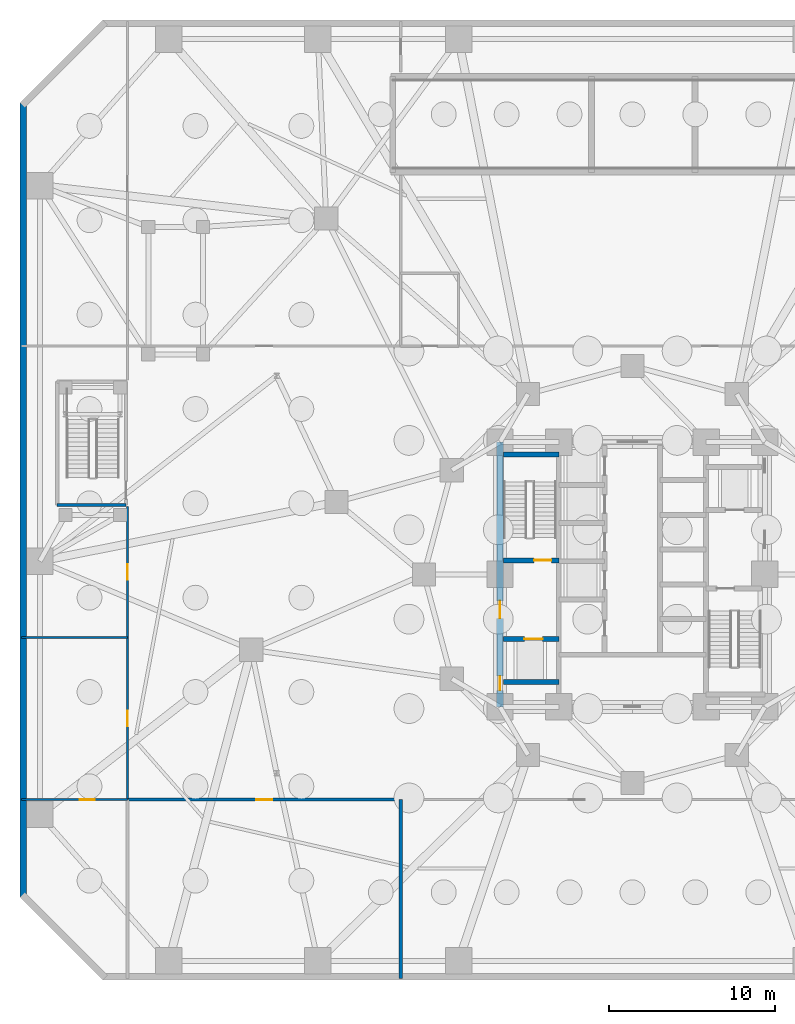
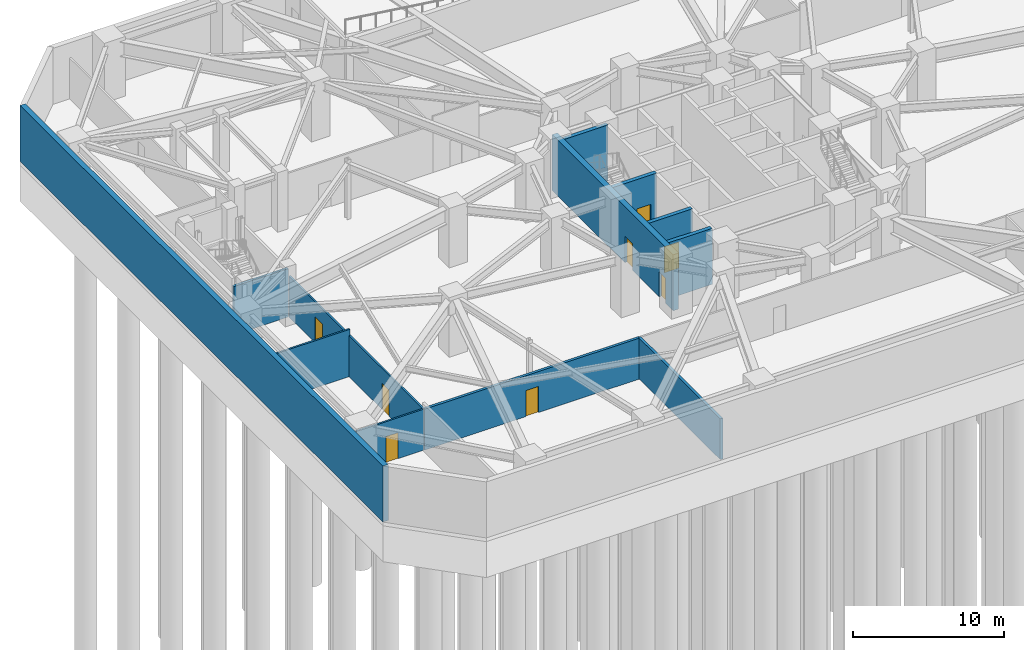
# One storey, part 12 of 20: 13 walls, 8 doors, 8 openings.
"""IFC4 building model written with IfcOpenShell, lengths in metres."""

from ifc_helpers import new_model, si_unit, direction, frame, frame_2d, origin, place, context, subcontext, project, spatial, rectangle, extrude, material, layer, layer_set, type_object, element, fill, save


model = new_model("IFC4")

# Units and contexts
model_context = context("Model", 3, precision=1e-05, world=origin(), true_north=direction((0.0, 1.0)))
body_context = subcontext(model_context, "Body", "Model", "MODEL_VIEW")
ifc_project = project(units=[si_unit("LENGTHUNIT", "METRE"), si_unit("AREAUNIT", "SQUARE_METRE"), si_unit("VOLUMEUNIT", "CUBIC_METRE"), si_unit("PLANEANGLEUNIT", "RADIAN"), si_unit("MASSUNIT", "GRAM", prefix="KILO")], contexts=[model_context])

# Site, building, storey
site_placement = place(None, origin())
site = spatial("IfcSite", under=ifc_project, at=site_placement, CompositionType="ELEMENT")
building_placement = place(site_placement, origin())
building = spatial("IfcBuilding", under=site, at=building_placement, Name="Terralouvre Media Tower", CompositionType="ELEMENT")
storey_placement = place(building_placement, frame((0.0, 0.0, -9.60009765625)))
storey = spatial("IfcBuildingStorey", under=building, at=storey_placement, Name="B02", CompositionType="ELEMENT", Elevation=-9.60009765625)

# Wall
ifc_material_1 = material(Name="Concrete C50/60", Category="concrete")
ifc_layer_1 = layer(ifc_material_1, 0.39990234375, Name="Basement Perimeter Retaining Wall EW-RC400")
ifc_layer_set_1 = layer_set([ifc_layer_1], Name="Concrete C50/60")
wall_type_1 = type_object("IfcWallType", Name="Basement Perimeter Retaining Wall EW-RC400", PredefinedType="USERDEFINED", material=ifc_layer_set_1)
wall_1_placement = place(storey_placement, frame((-36.800048828125, 28.5, 0.0), z_axis=(0.0, 0.0, 1.0), x_axis=(0.0, -1.0, 0.0)))
element("IfcWall", 1, at=wall_1_placement, inside=storey, type_object=wall_type_1, Name="B02 Perimeter Retaining Wall 07", ObjectType="RETAINING", PredefinedType="USERDEFINED", context=body_context, shape_type="SweptSolid", body=[
    extrude(rectangle(XDim=48.0, YDim=0.39990234375, at=frame_2d((24.0, 0.0))), origin(), (0.0, 0.0, 1.0), 4.52001953125),
])

# Wall, opening, door
ifc_material_2 = material(Name="Concrete C50/60", Category="concrete")
ifc_layer_2 = layer(ifc_material_2, 0.300048828125, Name="Core Internal Shaft Wall CW-300")
ifc_layer_set_2 = layer_set([ifc_layer_2], Name="Concrete C50/60")
wall_type_2 = type_object("IfcWallType", Name="Core Internal Shaft Wall CW-300", PredefinedType="SHEAR", material=ifc_layer_set_2)
wall_2_placement = place(storey_placement, frame((-7.7900390625, 0.85009765625, 0.0), z_axis=(0.0, 0.0, 1.0), x_axis=(1.0, 0.0, 0.0)))
wall_2 = element("IfcWall", 2, at=wall_2_placement, inside=storey, type_object=wall_type_2, Name="B02 Core Shaft Wall ST1D", PredefinedType="SHEAR", context=body_context, shape_type="SweptSolid", body=[
    extrude(rectangle(XDim=3.340087890625, YDim=0.300048828125, at=frame_2d((1.669921875, 0.0))), origin(), (0.0, 0.0, 1.0), 4.52001953125),
])
opening_1_placement = place(wall_2_placement, frame((1.85009765625, 0.0, 0.0)))
opening_1 = element("IfcOpeningElement", 3, at=opening_1_placement, cuts=wall_2, Name="Opening FD-01-105X215", PredefinedType="OPENING", context=body_context, shape_type="SweptSolid", body=[
    extrude(rectangle(XDim=1.050048828125, YDim=2.14990234375, at=frame_2d((0.52490234375, 1.074951171875))), frame((0.0, 0.159912109375, 0.0), z_axis=(0.0, -1.0, 0.0), x_axis=(1.0, 0.0, 0.0)), (0.0, 0.0, 1.0), 0.320068359375),
])
ifc_material_3 = material(Name="Galvanised steel fire-resisting leaf", Category="steel")
door_type_1 = type_object("IfcDoorType", Name="Stair and Firefighting Lobby Fire Door FD-01 (1050x2150)", OperationType="NOTDEFINED", PredefinedType="DOOR", material=ifc_material_3)
door_1_placement = place(opening_1_placement, origin())
door_1 = element("IfcDoor", 4, at=door_1_placement, inside=storey, type_object=door_type_1, Name="B02 ST-01 Exit Stair Door", OperationType="SINGLE_SWING_LEFT", OverallHeight=2.14990234375, OverallWidth=1.050048828125, PredefinedType="DOOR", context=body_context, shape_type="SweptSolid", body=[
    extrude(rectangle(XDim=1.050048828125, YDim=2.14990234375, at=frame_2d((0.52490234375, 1.074951171875))), frame((0.0, 0.02490234375, 0.0), z_axis=(0.0, -1.0, 0.0), x_axis=(1.0, 0.0, 0.0)), (0.0, 0.0, 1.0), 0.050048828125),
])
fill(opening_1, door_1)

# Wall
wall_3_placement = place(storey_placement, frame((-7.7900390625, 7.260009765625, 0.0), z_axis=(0.0, 0.0, 1.0), x_axis=(1.0, 0.0, 0.0)))
element("IfcWall", 5, at=wall_3_placement, inside=storey, type_object=wall_type_2, Name="B02 Core Shaft Wall ST1F", PredefinedType="SHEAR", context=body_context, shape_type="SweptSolid", body=[
    extrude(rectangle(XDim=3.340087890625, YDim=0.300048828125, at=frame_2d((1.669921875, 0.0))), origin(), (0.0, 0.0, 1.0), 4.52001953125),
])

# Wall, opening, door
wall_4_placement = place(storey_placement, frame((-7.7900390625, -3.89990234375, 0.0), z_axis=(0.0, 0.0, 1.0), x_axis=(1.0, 0.0, 0.0)))
wall_4 = element("IfcWall", 6, at=wall_4_placement, inside=storey, type_object=wall_type_2, Name="B02 Core Shaft Wall FF1N", PredefinedType="SHEAR", context=body_context, shape_type="SweptSolid", body=[
    extrude(rectangle(XDim=3.340087890625, YDim=0.300048828125, at=frame_2d((1.669921875, 0.0))), origin(), (0.0, 0.0, 1.0), 4.52001953125),
])
opening_2_placement = place(wall_4_placement, frame((1.27001953125, 0.0, 0.0)))
opening_2 = element("IfcOpeningElement", 7, at=opening_2_placement, cuts=wall_4, Name="Opening LD-FF", PredefinedType="OPENING", context=body_context, shape_type="SweptSolid", body=[
    extrude(rectangle(XDim=1.10009765625, YDim=2.10009765625, at=frame_2d((0.550048828125, 1.050048828125))), frame((0.0, 0.159912109375, 0.0), z_axis=(0.0, -1.0, 0.0), x_axis=(1.0, 0.0, 0.0)), (0.0, 0.0, 1.0), 0.320068359375),
])
ifc_material_4 = material(Name="Stainless steel 316 handrail and balustrade", Category="steel")
door_type_2 = type_object("IfcDoorType", Name="Firefighting Lift Sliding Landing Door LD-FF", OperationType="SLIDING_TO_LEFT", PredefinedType="DOOR", material=ifc_material_4)
door_2_placement = place(opening_2_placement, origin())
door_2 = element("IfcDoor", 8, at=door_2_placement, inside=storey, type_object=door_type_2, Name="B02 Firefighting Lift FFL-01 Landing Door", OperationType="SLIDING_TO_LEFT", OverallHeight=2.10009765625, OverallWidth=1.10009765625, PredefinedType="DOOR", context=body_context, shape_type="SweptSolid", body=[
    extrude(rectangle(XDim=1.10009765625, YDim=2.10009765625, at=frame_2d((0.550048828125, 1.050048828125))), frame((0.0, 0.02490234375, 0.0), z_axis=(0.0, -1.0, 0.0), x_axis=(1.0, 0.0, 0.0)), (0.0, 0.0, 1.0), 0.050048828125),
])
fill(opening_2, door_2)

# Wall
wall_5_placement = place(storey_placement, frame((-7.7900390625, -6.5, 0.0), z_axis=(0.0, 0.0, 1.0), x_axis=(1.0, 0.0, 0.0)))
element("IfcWall", 9, at=wall_5_placement, inside=storey, type_object=wall_type_2, Name="B02 Core Shaft Wall FF1S", PredefinedType="SHEAR", context=body_context, shape_type="SweptSolid", body=[
    extrude(rectangle(XDim=3.340087890625, YDim=0.300048828125, at=frame_2d((1.669921875, 0.0))), origin(), (0.0, 0.0, 1.0), 4.52001953125),
])

# Wall, openings, doors
ifc_material_5 = material(Name="Concrete C60/75", Category="concrete")
ifc_layer_3 = layer(ifc_material_5, 0.419921875, Name="Core Reinforced Concrete Shear Wall CW-420")
ifc_layer_set_3 = layer_set([ifc_layer_3], Name="Concrete C60/75")
wall_type_3 = type_object("IfcWallType", Name="Core Reinforced Concrete Shear Wall CW-420", PredefinedType="SHEAR", material=ifc_layer_set_3)
wall_6_placement = place(storey_placement, frame((-8.0, -8.0, 0.0), z_axis=(0.0, 0.0, 1.0), x_axis=(0.0, 1.0, 0.0)))
wall_6 = element("IfcWall", 10, at=wall_6_placement, inside=storey, type_object=wall_type_3, Name="B02 W Core Shear Wall", PredefinedType="SHEAR", context=body_context, shape_type="SweptSolid", body=[
    extrude(rectangle(XDim=16.0, YDim=0.419921875, at=frame_2d((8.0, 0.0))), origin(), (0.0, 0.0, 1.0), 4.52001953125),
])
opening_3_placement = place(wall_6_placement, frame((1.001708984375, 0.0, 0.0)))
opening_3 = element("IfcOpeningElement", 11, at=opening_3_placement, cuts=wall_6, Name="Opening TD-R1", PredefinedType="OPENING", context=body_context, shape_type="SweptSolid", body=[
    extrude(rectangle(XDim=0.85009765625, YDim=2.02001953125, at=frame_2d((0.425048828125, 1.010009765625))), frame((0.0, 0.219970703125, 0.0), z_axis=(0.0, -1.0, 0.0), x_axis=(1.0, 0.0, 0.0)), (0.0, 0.0, 1.0), 0.43994140625),
])
opening_4_placement = place(wall_6_placement, frame((5.35009765625, 0.0, 0.0)))
opening_4 = element("IfcOpeningElement", 12, at=opening_4_placement, cuts=wall_6, Name="Opening FD-01-105X215", PredefinedType="OPENING", context=body_context, shape_type="SweptSolid", body=[
    extrude(rectangle(XDim=1.050048828125, YDim=2.14990234375, at=frame_2d((0.52490234375, 1.074951171875))), frame((0.0, 0.219970703125, 0.0), z_axis=(0.0, -1.0, 0.0), x_axis=(1.0, 0.0, 0.0)), (0.0, 0.0, 1.0), 0.43994140625),
])
ifc_material_6 = material(Name="Galvanised steel fire-resisting leaf", Category="steel")
door_type_3 = type_object("IfcDoorType", Name="Riser Inspection Access Trapdoor TD-R1", OperationType="NOTDEFINED", PredefinedType="TRAPDOOR", material=ifc_material_6)
door_3_placement = place(opening_3_placement, origin())
door_3 = element("IfcDoor", 13, at=door_3_placement, inside=storey, type_object=door_type_3, Name="B02 Wet Riser Access Trapdoor", OperationType="SINGLE_SWING_LEFT", OverallHeight=2.02001953125, OverallWidth=0.85009765625, PredefinedType="TRAPDOOR", context=body_context, shape_type="SweptSolid", body=[
    extrude(rectangle(XDim=0.85009765625, YDim=2.02001953125, at=frame_2d((0.425048828125, 1.010009765625))), frame((0.0, 0.02490234375, 0.0), z_axis=(0.0, -1.0, 0.0), x_axis=(1.0, 0.0, 0.0)), (0.0, 0.0, 1.0), 0.050048828125),
])
fill(opening_3, door_3)
door_4_placement = place(opening_4_placement, origin())
door_4 = element("IfcDoor", 14, at=door_4_placement, inside=storey, type_object=door_type_1, Name="B02 West Firefighting Lobby Entry Door", OperationType="SINGLE_SWING_RIGHT", OverallHeight=2.14990234375, OverallWidth=1.050048828125, PredefinedType="DOOR", context=body_context, shape_type="SweptSolid", body=[
    extrude(rectangle(XDim=1.050048828125, YDim=2.14990234375, at=frame_2d((0.52490234375, 1.074951171875))), frame((0.0, 0.02490234375, 0.0), z_axis=(0.0, -1.0, 0.0), x_axis=(1.0, 0.0, 0.0)), (0.0, 0.0, 1.0), 0.050048828125),
])
fill(opening_4, door_4)

# Wall
ifc_material_7 = material(Name="Fire-rated gypsum board drywall partition")
ifc_layer_4 = layer(ifc_material_7, 0.199951171875, Name="Fire-Rated Shaft and Lobby Partition FW-200")
ifc_layer_set_4 = layer_set([ifc_layer_4], Name="Fire-rated gypsum board drywall partition")
wall_type_4 = type_object("IfcWallType", Name="Fire-Rated Shaft and Lobby Partition FW-200", PredefinedType="SOLIDWALL", material=ifc_layer_set_4)
wall_7_placement = place(storey_placement, frame((-34.75, 4.199951171875, 0.0), z_axis=(0.0, 0.0, 1.0), x_axis=(1.0, 0.0, 0.0)))
element("IfcWall", 15, at=wall_7_placement, inside=storey, type_object=wall_type_4, Name="B02 ST03 Stair Shaft Wall S", PredefinedType="SOLIDWALL", context=body_context, shape_type="SweptSolid", body=[
    extrude(rectangle(XDim=4.14990234375, YDim=0.199951171875, at=frame_2d((2.074951171875, 0.0))), origin(), (0.0, 0.0, 1.0), 3.905029296875),
])

# Wall, opening, door
wall_8_placement = place(storey_placement, frame((-30.5, -13.60009765625, 0.0), z_axis=(0.0, 0.0, 1.0), x_axis=(1.0, 0.0, 0.0)))
wall_8 = element("IfcWall", 16, at=wall_8_placement, inside=storey, type_object=wall_type_4, Name="B02 Interior Partition 002", PredefinedType="SOLIDWALL", context=body_context, shape_type="SweptSolid", body=[
    extrude(rectangle(XDim=16.5, YDim=0.199951171875, at=frame_2d((8.25, 0.0))), origin(), (0.0, 0.0, 1.0), 3.30517578125),
])
opening_5_placement = place(wall_8_placement, frame((7.77490234375, 0.0, 0.0)))
opening_5 = element("IfcOpeningElement", 17, at=opening_5_placement, cuts=wall_8, Name="Opening FD-02-95X210", PredefinedType="OPENING", context=body_context, shape_type="SweptSolid", body=[
    extrude(rectangle(XDim=0.949951171875, YDim=2.10009765625, at=frame_2d((0.47509765625, 1.050048828125))), frame((0.0, 0.10986328125, 0.0), z_axis=(0.0, -1.0, 0.0), x_axis=(1.0, 0.0, 0.0)), (0.0, 0.0, 1.0), 0.219970703125),
])
ifc_material_8 = material(Name="Galvanised steel fire-resisting leaf", Category="steel")
door_type_4 = type_object("IfcDoorType", Name="Plant and Riser Fire Door FD-02 (950x2100)", OperationType="NOTDEFINED", PredefinedType="DOOR", material=ifc_material_8)
door_5_placement = place(opening_5_placement, origin())
door_5 = element("IfcDoor", 18, at=door_5_placement, inside=storey, type_object=door_type_4, Name="B02 B02 Primary Chiller and Sprinkler Plant Room Door", OperationType="SINGLE_SWING_LEFT", OverallHeight=2.10009765625, OverallWidth=0.949951171875, PredefinedType="DOOR", context=body_context, shape_type="SweptSolid", body=[
    extrude(rectangle(XDim=0.949951171875, YDim=2.10009765625, at=frame_2d((0.47509765625, 1.050048828125))), frame((0.0, 0.02490234375, 0.0), z_axis=(0.0, -1.0, 0.0), x_axis=(1.0, 0.0, 0.0)), (0.0, 0.0, 1.0), 0.050048828125),
])
fill(opening_5, door_5)

# Wall
wall_9_placement = place(storey_placement, frame((-14.0, -24.419921875, 0.0), z_axis=(0.0, 0.0, 1.0), x_axis=(0.0, 1.0, 0.0)))
element("IfcWall", 19, at=wall_9_placement, inside=storey, type_object=wall_type_4, Name="B02 Interior Partition 017", PredefinedType="SOLIDWALL", context=body_context, shape_type="SweptSolid", body=[
    extrude(rectangle(XDim=10.81982421875, YDim=0.199951171875, at=frame_2d((5.409912109375, 0.0))), origin(), (0.0, 0.0, 1.0), 3.30517578125),
])

# Wall, opening, door
ifc_material_9 = material(Name="Fire-rated gypsum board drywall partition")
ifc_layer_5 = layer(ifc_material_9, 0.135009765625, Name="Newsroom Acoustic Partition PT-135")
ifc_layer_set_5 = layer_set([ifc_layer_5], Name="Fire-rated gypsum board drywall partition")
wall_type_5 = type_object("IfcWallType", Name="Newsroom Acoustic Partition PT-135", PredefinedType="PARTITIONING", material=ifc_layer_set_5)
wall_10_placement = place(storey_placement, frame((-30.5, -3.800048828125, 0.0), z_axis=(0.0, 0.0, 1.0), x_axis=(0.0, -1.0, 0.0)))
wall_10 = element("IfcWall", 20, at=wall_10_placement, inside=storey, type_object=wall_type_5, Name="B02 Interior Partition 001", PredefinedType="PARTITIONING", context=body_context, shape_type="SweptSolid", body=[
    extrude(rectangle(XDim=9.800048828125, YDim=0.135009765625, at=frame_2d((4.89990234375, 0.0))), origin(), (0.0, 0.0, 1.0), 3.30517578125),
])
opening_6_placement = place(wall_10_placement, frame((4.425048828125, 0.0, 0.0)))
opening_6 = element("IfcOpeningElement", 21, at=opening_6_placement, cuts=wall_10, Name="Opening ID-02-95X210", PredefinedType="OPENING", context=body_context, shape_type="SweptSolid", body=[
    extrude(rectangle(XDim=0.949951171875, YDim=2.10009765625, at=frame_2d((0.47509765625, 1.050048828125))), frame((0.0, 0.077392578125, 0.0), z_axis=(0.0, -1.0, 0.0), x_axis=(1.0, 0.0, 0.0)), (0.0, 0.0, 1.0), 0.155029296875),
])
ifc_material_10 = material(Name="Engineered hardwood acoustic timber leaf", Category="wood")
door_type_5 = type_object("IfcDoorType", Name="Office and Meeting Room Door ID-02 (950x2100)", OperationType="NOTDEFINED", PredefinedType="DOOR", material=ifc_material_10)
door_6_placement = place(opening_6_placement, origin())
door_6 = element("IfcDoor", 22, at=door_6_placement, inside=storey, type_object=door_type_5, Name="B02 B02 Basement Technical Equipment Store 1 Door", OperationType="SINGLE_SWING_RIGHT", OverallHeight=2.10009765625, OverallWidth=0.949951171875, PredefinedType="DOOR", context=body_context, shape_type="SweptSolid", body=[
    extrude(rectangle(XDim=0.949951171875, YDim=2.10009765625, at=frame_2d((0.47509765625, 1.050048828125))), frame((0.0, 0.02490234375, 0.0), z_axis=(0.0, -1.0, 0.0), x_axis=(1.0, 0.0, 0.0)), (0.0, 0.0, 1.0), 0.050048828125),
])
fill(opening_6, door_6)

wall_11_placement = place(storey_placement, frame((-30.5, 4.10009765625, 0.0), z_axis=(0.0, 0.0, 1.0), x_axis=(0.0, -1.0, 0.0)))
wall_11 = element("IfcWall", 23, at=wall_11_placement, inside=storey, type_object=wall_type_5, Name="B02 Interior Partition 012", PredefinedType="PARTITIONING", context=body_context, shape_type="SweptSolid", body=[
    extrude(rectangle(XDim=7.900146484375, YDim=0.135009765625, at=frame_2d((3.9501953125, 0.0))), origin(), (0.0, 0.0, 1.0), 3.30517578125),
])
opening_7_placement = place(wall_11_placement, frame((3.47509765625, 0.0, 0.0)))
opening_7 = element("IfcOpeningElement", 24, at=opening_7_placement, cuts=wall_11, Name="Opening ID-02-95X210", PredefinedType="OPENING", context=body_context, shape_type="SweptSolid", body=[
    extrude(rectangle(XDim=0.949951171875, YDim=2.10009765625, at=frame_2d((0.47509765625, 1.050048828125))), frame((0.0, 0.077392578125, 0.0), z_axis=(0.0, -1.0, 0.0), x_axis=(1.0, 0.0, 0.0)), (0.0, 0.0, 1.0), 0.155029296875),
])
door_7_placement = place(opening_7_placement, origin())
door_7 = element("IfcDoor", 25, at=door_7_placement, inside=storey, type_object=door_type_5, Name="B02 B02 Basement Technical Equipment Store 18 Door", OperationType="SINGLE_SWING_RIGHT", OverallHeight=2.10009765625, OverallWidth=0.949951171875, PredefinedType="DOOR", context=body_context, shape_type="SweptSolid", body=[
    extrude(rectangle(XDim=0.949951171875, YDim=2.10009765625, at=frame_2d((0.47509765625, 1.050048828125))), frame((0.0, 0.02490234375, 0.0), z_axis=(0.0, -1.0, 0.0), x_axis=(1.0, 0.0, 0.0)), (0.0, 0.0, 1.0), 0.050048828125),
])
fill(opening_7, door_7)

wall_12_placement = place(storey_placement, frame((-36.919921875, -13.60009765625, 0.0), z_axis=(0.0, 0.0, 1.0), x_axis=(1.0, 0.0, 0.0)))
wall_12 = element("IfcWall", 26, at=wall_12_placement, inside=storey, type_object=wall_type_5, Name="B02 Interior Partition 014", PredefinedType="PARTITIONING", context=body_context, shape_type="SweptSolid", body=[
    extrude(rectangle(XDim=6.419921875, YDim=0.135009765625, at=frame_2d((3.2099609375, 0.0))), origin(), (0.0, 0.0, 1.0), 3.30517578125),
])
opening_8_placement = place(wall_12_placement, frame((3.5205078125, 0.0, 0.0)))
opening_8 = element("IfcOpeningElement", 27, at=opening_8_placement, cuts=wall_12, Name="Opening FD-05-92X210", PredefinedType="OPENING", context=body_context, shape_type="SweptSolid", body=[
    extrude(rectangle(XDim=0.919921875, YDim=2.10009765625, at=frame_2d((0.4599609375, 1.050048828125))), frame((0.0, 0.077392578125, 0.0), z_axis=(0.0, -1.0, 0.0), x_axis=(1.0, 0.0, 0.0)), (0.0, 0.0, 1.0), 0.155029296875),
])
ifc_material_11 = material(Name="Galvanised steel fire-resisting leaf", Category="steel")
door_type_6 = type_object("IfcDoorType", Name="Core Accessible Closet Fire Door FD-05 (920x2100)", OperationType="NOTDEFINED", PredefinedType="DOOR", material=ifc_material_11)
door_8_placement = place(opening_8_placement, origin())
door_8 = element("IfcDoor", 28, at=door_8_placement, inside=storey, type_object=door_type_6, Name="B02 B02 Primary Chiller and Sprinkler Plant Room Door", OperationType="SINGLE_SWING_LEFT", OverallHeight=2.10009765625, OverallWidth=0.919921875, PredefinedType="DOOR", context=body_context, shape_type="SweptSolid", body=[
    extrude(rectangle(XDim=0.919921875, YDim=2.10009765625, at=frame_2d((0.4599609375, 1.050048828125))), frame((0.0, 0.02490234375, 0.0), z_axis=(0.0, -1.0, 0.0), x_axis=(1.0, 0.0, 0.0)), (0.0, 0.0, 1.0), 0.050048828125),
])
fill(opening_8, door_8)

# Wall
wall_13_placement = place(storey_placement, frame((-30.5, -3.800048828125, 0.0), z_axis=(0.0, 0.0, 1.0), x_axis=(-1.0, 0.0, 0.0)))
element("IfcWall", 29, at=wall_13_placement, inside=storey, type_object=wall_type_5, Name="B02 Interior Partition 015", PredefinedType="PARTITIONING", context=body_context, shape_type="SweptSolid", body=[
    extrude(rectangle(XDim=6.419921875, YDim=0.135009765625, at=frame_2d((3.2099609375, 0.0))), origin(), (0.0, 0.0, 1.0), 3.80517578125),
])

save(model, "model.ifc")
